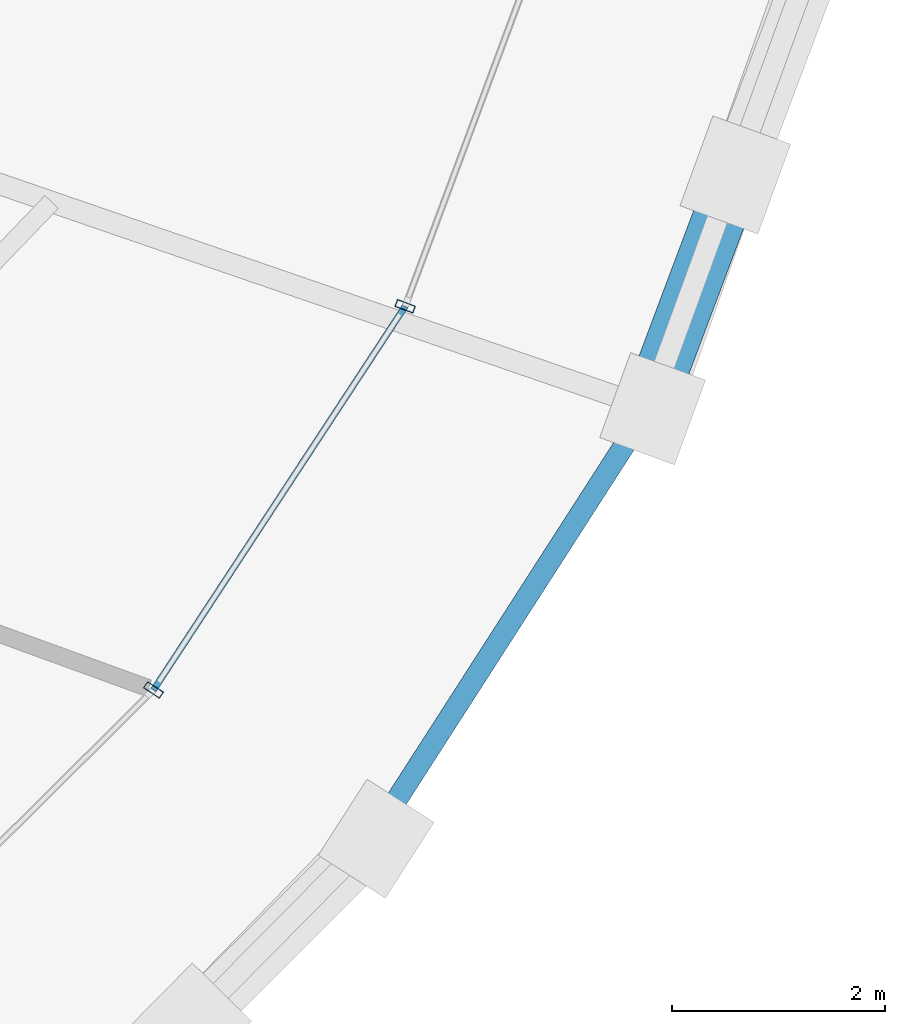
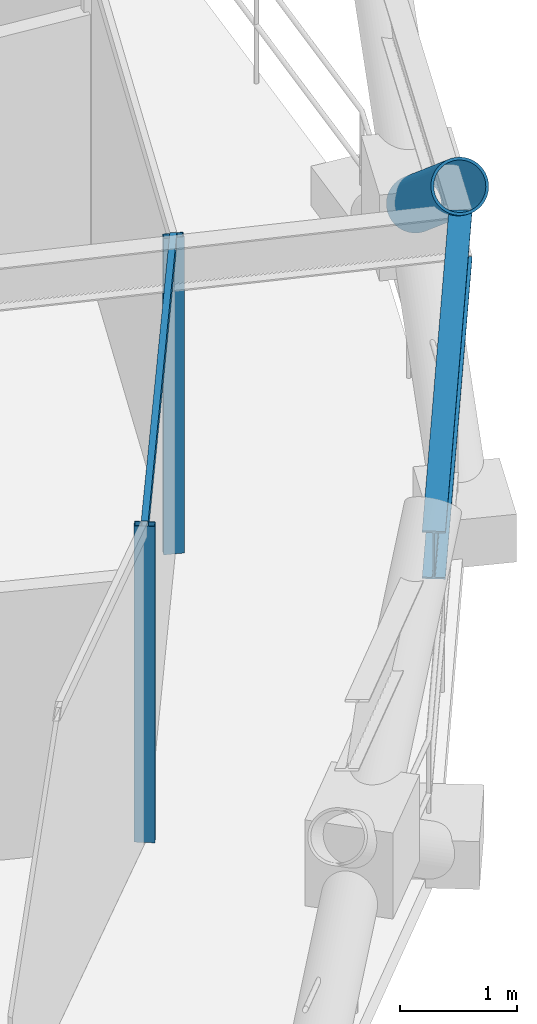
# One storey, part 9 of 19: 4 members, 1 beam, 1 element without a shape of its own.
"""IFC4 building model written with IfcOpenShell, lengths in metres."""

from ifc_helpers import new_model, si_unit, direction, frame, origin, origin_2d, place, context, subcontext, project, spatial, hollow_rectangle, hollow_circle, i_section, extrude, material, layer, layer_set, material_profile, profile_set, type_object, element, aggregate, save


model = new_model("IFC4")

# Units and contexts
model_context = context("Model", 3, precision=1e-05, world=origin(), true_north=direction((0.0, 1.0)))
body_context = subcontext(model_context, "Body", "Model", "MODEL_VIEW")
ifc_project = project(units=[si_unit("LENGTHUNIT", "METRE"), si_unit("AREAUNIT", "SQUARE_METRE"), si_unit("VOLUMEUNIT", "CUBIC_METRE"), si_unit("PLANEANGLEUNIT", "RADIAN"), si_unit("MASSUNIT", "GRAM", prefix="KILO")], contexts=[model_context])

# Site, building, storey
site_placement = place(None, origin())
site = spatial("IfcSite", under=ifc_project, at=site_placement, CompositionType="ELEMENT")
building_placement = place(site_placement, origin())
building = spatial("IfcBuilding", under=site, at=building_placement, Name="Veldorina Hangang Commons", CompositionType="ELEMENT")
storey_placement = place(building_placement, frame((0.0, 0.0, 164.0)))
storey = spatial("IfcBuildingStorey", under=building, at=storey_placement, Name="L42", CompositionType="ELEMENT", Elevation=164.0)

# Beam
ifc_material_1 = material(Name="Steel SM420-TMC", Category="steel")
ifc_material_profile_1 = material_profile(ifc_material_1, i_section(OverallWidth=0.199951171875, OverallDepth=0.5, WebThickness=0.010009765625, FlangeThickness=0.01611328125, FilletRadius=0.01611328125, at=origin_2d()), Name="H-500x200x10x16")
ifc_profile_set_1 = profile_set([ifc_material_profile_1], Name="Steel SM420-TMC")
beam_type = type_object("IfcBeamType", Name="BM-RB500", PredefinedType="BEAM", material=ifc_profile_set_1)
beam_placement = place(storey_placement, frame((55.36572265625, 11.015625, 3.10009765625), z_axis=(0.540652262191, 0.841246177636, 0.0), x_axis=(-0.841246177636, 0.540652262191, 0.0)))
element("IfcBeam", 1, at=beam_placement, inside=storey, type_object=beam_type, Name="L42 perimeter hoop ring beam 29", PredefinedType="BEAM", context=body_context, shape_type="SweptSolid", body=[
    extrude(i_section(OverallWidth=0.199951171875, OverallDepth=0.5, WebThickness=0.010009765625, FlangeThickness=0.01611328125, FilletRadius=0.01611328125, at=origin_2d()), origin(), (0.0, 0.0, 1.0), 4.80322265625),
])

# Curtain wall, members
ifc_material_2 = material(Name="Glass Low-E Triple IGU", Category="glass")
ifc_layer = layer(ifc_material_2, 0.179931640625)
ifc_layer_set = layer_set([ifc_layer], Name="Glass Low-E Triple IGU")
curtain_wall_type = type_object("IfcCurtainWallType", Name="CW-SYS-Z2", PredefinedType="NOTDEFINED", material=ifc_layer_set)
curtain_wall_placement = place(storey_placement, origin())
curtain_wall = element("IfcCurtainWall", 2, at=curtain_wall_placement, inside=storey, type_object=curtain_wall_type, Name="L42 unitised curtain wall CW-L42-R2", PredefinedType="NOTDEFINED")
ifc_material_3 = material(Name="Aluminium Anodized AA6063-T6", Category="aluminium")
ifc_material_profile_2 = material_profile(ifc_material_3, hollow_rectangle(XDim=0.070068359375, YDim=0.179931640625, WallThickness=0.00390625, at=origin_2d()), Name="ALU-RHS-180x70x4")
ifc_profile_set_2 = profile_set([ifc_material_profile_2], Name="Aluminium Anodized AA6063-T6")
member_type_1 = type_object("IfcMemberType", Name="CW-MUL-180", PredefinedType="MULLION", material=ifc_profile_set_2)
member_1_placement = place(storey_placement, frame((53.30419921875, 12.39990234375, 0.0), z_axis=(0.0, 0.0, 1.0), x_axis=(0.54845377483, 0.836180875693, 0.0)))
member_1 = element("IfcMember", 3, at=member_1_placement, type_object=member_type_1, Name="CW-L42-R2 vertical mullion 2", PredefinedType="MULLION", context=body_context, shape_type="SweptSolid", body=[
    extrude(hollow_rectangle(XDim=0.070068359375, YDim=0.179931640625, WallThickness=0.00390625, at=origin_2d()), origin(), (0.0, 0.0, 1.0), 3.31005859375),
])
member_2_placement = place(storey_placement, frame((55.671875, 16.009765625, 0.0), z_axis=(0.0, 0.0, 1.0), x_axis=(0.348882842628, 0.937166347091, 0.0)))
member_2 = element("IfcMember", 4, at=member_2_placement, type_object=member_type_1, Name="CW-L42-R2 vertical mullion 3", PredefinedType="MULLION", context=body_context, shape_type="SweptSolid", body=[
    extrude(hollow_rectangle(XDim=0.070068359375, YDim=0.179931640625, WallThickness=0.00390625, at=origin_2d()), origin(), (0.0, 0.0, 1.0), 3.31005859375),
])
ifc_material_profile_3 = material_profile(ifc_material_3, hollow_rectangle(XDim=0.06005859375, YDim=0.139892578125, WallThickness=0.00341796875, at=origin_2d()), Name="ALU-RHS-140x60x3.5")
ifc_profile_set_3 = profile_set([ifc_material_profile_3], Name="Aluminium Anodized AA6063-T6")
member_type_2 = type_object("IfcMemberType", Name="CW-TRN-140", PredefinedType="USERDEFINED", material=ifc_profile_set_3)
member_3_placement = place(storey_placement, frame((53.30419921875, 12.39990234375, 3.27001953125), z_axis=(0.548446427075, 0.836185695064, 0.0), x_axis=(-0.836185695064, 0.548446427075, 0.0)))
member_3 = element("IfcMember", 5, at=member_3_placement, type_object=member_type_2, Name="CW-L42-R2 facet 2 transom 1", ObjectType="TRANSOM", PredefinedType="USERDEFINED", context=body_context, shape_type="SweptSolid", body=[
    extrude(hollow_rectangle(XDim=0.06005859375, YDim=0.139892578125, WallThickness=0.00341796875, at=origin_2d()), origin(), (0.0, 0.0, 1.0), 4.317138671875),
])
aggregate(curtain_wall, [member_1, member_2, member_3])

# Member
ifc_material_profile_4 = material_profile(ifc_material_1, hollow_circle(Radius=0.25, WallThickness=0.02490234375, at=origin_2d()), Name="CHS-500x25")
ifc_profile_set_4 = profile_set([ifc_material_profile_4], Name="Steel SM420-TMC")
member_type_3 = type_object("IfcMemberType", Name="DG-CHS500", PredefinedType="BRACE", material=ifc_profile_set_4)
member_4_placement = place(storey_placement, frame((58.7783203125, 17.2451171875, 1.80126953125), z_axis=(-0.27870279653, -0.741717068126, 0.610066014507), x_axis=(0.936097072697, -0.351741766767, 0.0)))
element("IfcMember", 6, at=member_4_placement, inside=storey, type_object=member_type_3, Name="L42 split perimeter diagrid upper brace 31", PredefinedType="BRACE", context=body_context, shape_type="SweptSolid", body=[
    extrude(hollow_circle(Radius=0.25, WallThickness=0.02490234375, at=origin_2d()), origin(), (0.0, 0.0, 1.0), 2.948486328125),
])

save(model, "model.ifc")
